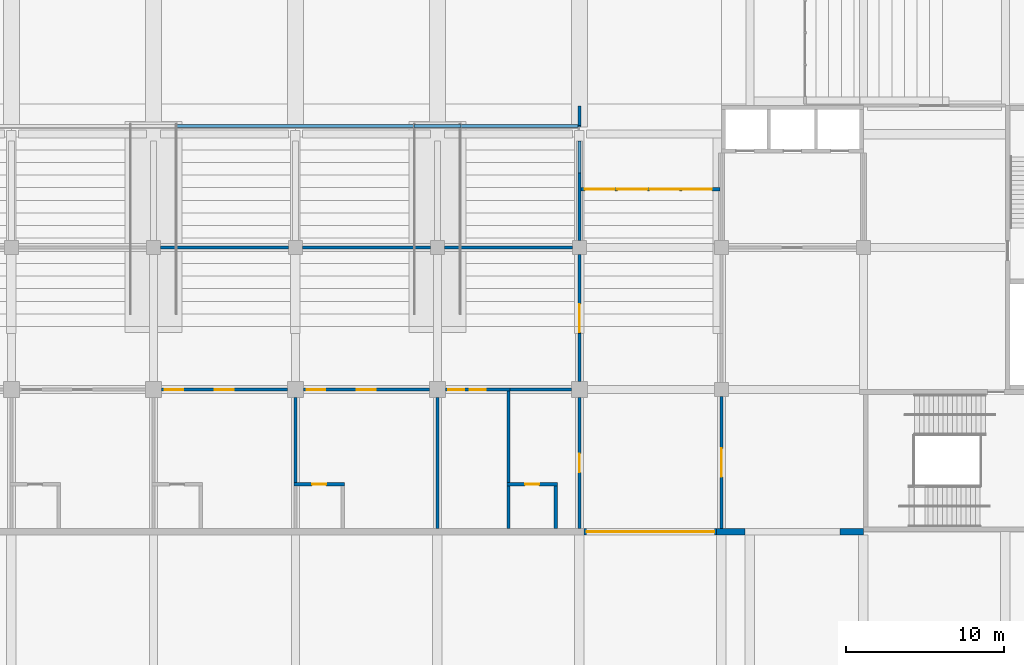
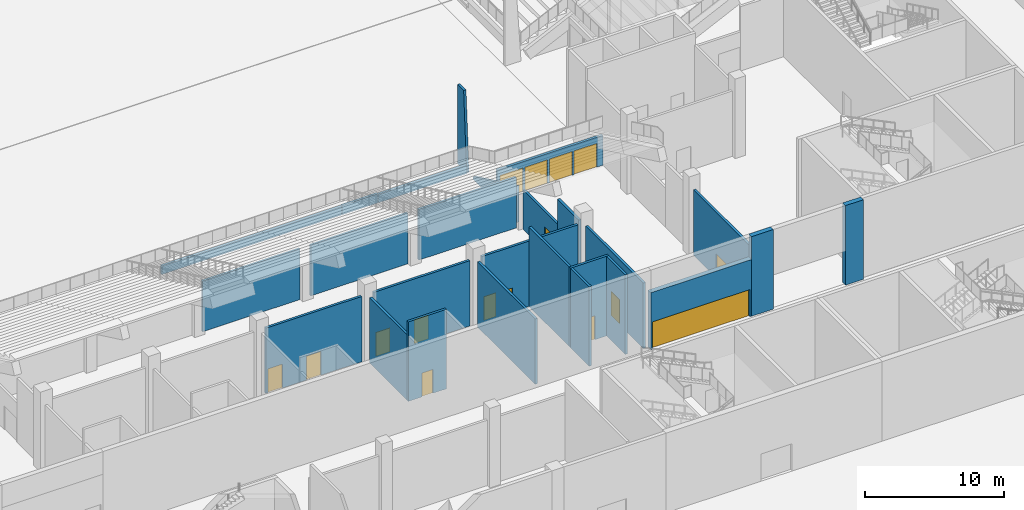
# One storey, part 32 of 92: 27 walls, 16 doors, 16 openings.
"""IFC4 building model written with IfcOpenShell, lengths in metres."""

from ifc_helpers import new_model, si_unit, direction, frame, frame_2d, origin, place, context, subcontext, project, spatial, polyline, rectangle, outline, extrude, material, layer, layer_set, type_object, element, fill, save


model = new_model("IFC4")

# Units and contexts
model_context = context("Model", 3, precision=1e-05, world=origin(), true_north=direction((0.0, 1.0)))
body_context = subcontext(model_context, "Body", "Model", "MODEL_VIEW")
ifc_project = project(units=[si_unit("LENGTHUNIT", "METRE"), si_unit("AREAUNIT", "SQUARE_METRE"), si_unit("VOLUMEUNIT", "CUBIC_METRE"), si_unit("PLANEANGLEUNIT", "RADIAN"), si_unit("MASSUNIT", "GRAM", prefix="KILO")], contexts=[model_context])

# Site, building, storey
site_placement = place(None, origin())
site = spatial("IfcSite", under=ifc_project, at=site_placement, CompositionType="ELEMENT")
building_placement = place(site_placement, origin())
building = spatial("IfcBuilding", under=site, at=building_placement, Name="Silverbay Arena", CompositionType="ELEMENT")
storey_placement = place(building_placement, origin())
storey = spatial("IfcBuildingStorey", under=building, at=storey_placement, Name="L00", CompositionType="ELEMENT", Elevation=0.0)

# Wall, opening, door
ifc_material_1 = material(Name="Concrete Grade C45", Category="concrete")
ifc_layer_1 = layer(ifc_material_1, 0.39990234375)
ifc_layer_set_1 = layer_set([ifc_layer_1], Name="Concrete Grade C45")
wall_type_1 = type_object("IfcWallType", Name="Bowl enclosure wall RC 400 EI 120", PredefinedType="SOLIDWALL", material=ifc_layer_set_1)
wall_1_placement = place(storey_placement, frame((153.300048828125, 36.0, 0.0), z_axis=(0.0, 0.0, 1.0), x_axis=(1.0, 0.0, 0.0)))
wall_1 = element("IfcWall", 1, at=wall_1_placement, inside=storey, type_object=wall_type_1, Name="tunnel floor tunnel SE", PredefinedType="SOLIDWALL", context=body_context, shape_type="SweptSolid", body=[
    extrude(rectangle(XDim=8.39990234375, YDim=0.39990234375, at=frame_2d((4.199951171875, 0.0))), origin(), (0.0, 0.0, 1.0), 5.0),
])
opening_1_placement = place(wall_1_placement, frame((0.14990234375, 0.0, 0.0)))
opening_1 = element("IfcOpeningElement", 2, at=opening_1_placement, cuts=wall_1, Name="Opening L00-226", PredefinedType="OPENING", context=body_context, shape_type="SweptSolid", body=[
    extrude(rectangle(XDim=8.10009765625, YDim=2.39990234375, at=frame_2d((4.050048828125, 1.199951171875))), frame((0.0, 0.2099609375, 0.0), z_axis=(0.0, -1.0, 0.0), x_axis=(1.0, 0.0, 0.0)), (0.0, 0.0, 1.0), 0.419921875),
])
ifc_material_2 = material(Name="Steel", Category="steel")
door_type_1 = type_object("IfcDoorType", Name="Fire door set 8100 x 2400 FD120S tunnel", OperationType="DOUBLE_DOOR_SINGLE_SWING", PredefinedType="DOOR", material=ifc_material_2)
door_1_placement = place(opening_1_placement, frame((8.10009765625, 0.0, 0.0), z_axis=(0.0, 0.0, 1.0), x_axis=(-1.0, 0.0, 0.0)))
door_1 = element("IfcDoor", 3, at=door_1_placement, inside=storey, type_object=door_type_1, Name="Fire door set L00 tunnel floor tunnel SE", OperationType="DOUBLE_DOOR_SINGLE_SWING", OverallHeight=2.39990234375, OverallWidth=8.10009765625, PredefinedType="DOOR", context=body_context, shape_type="SweptSolid", body=[
    extrude(rectangle(XDim=8.10009765625, YDim=2.39990234375, at=frame_2d((4.050048828125, 1.199951171875))), frame((0.0, 0.02490234375, 0.0), z_axis=(0.0, -1.0, 0.0), x_axis=(1.0, 0.0, 0.0)), (0.0, 0.0, 1.0), 0.050048828125),
])
fill(opening_1, door_1)

# Wall, openings, doors
ifc_material_3 = material(Name="Masonry blockwork partition", Category="masonry")
ifc_layer_2 = layer(ifc_material_3, 0.199951171875)
ifc_layer_set_2 = layer_set([ifc_layer_2], Name="Masonry blockwork partition")
wall_type_2 = type_object("IfcWallType", Name="Partition 200 EI 120", PredefinedType="PARTITIONING", material=ifc_layer_set_2)
wall_2_placement = place(storey_placement, frame((144.5, 45.0, 0.0), z_axis=(0.0, 0.0, 1.0), x_axis=(1.0, 0.0, 0.0)))
wall_2 = element("IfcWall", 4, at=wall_2_placement, inside=storey, type_object=wall_type_2, Name="Partition wall", PredefinedType="PARTITIONING", context=body_context, shape_type="SweptSolid", body=[
    extrude(rectangle(XDim=4.10009765625, YDim=0.199951171875, at=frame_2d((2.050048828125, 0.0))), origin(), (0.0, 0.0, 1.0), 5.75),
])
opening_2_placement = place(wall_2_placement, frame((1.550048828125, 0.0, 0.0)))
opening_2 = element("IfcOpeningElement", 5, at=opening_2_placement, cuts=wall_2, Name="Opening L00-029", PredefinedType="OPENING", context=body_context, shape_type="SweptSolid", body=[
    extrude(rectangle(XDim=1.0, YDim=2.10009765625, at=frame_2d((0.5, 1.050048828125))), frame((0.0, 0.10986328125, 0.0), z_axis=(0.0, -1.0, 0.0), x_axis=(1.0, 0.0, 0.0)), (0.0, 0.0, 1.0), 0.219970703125),
])
opening_3_placement = place(wall_2_placement, frame((0.199951171875, 0.0, 0.0)))
opening_3 = element("IfcOpeningElement", 6, at=opening_3_placement, cuts=wall_2, Name="Opening L00-099", PredefinedType="OPENING", context=body_context, shape_type="SweptSolid", body=[
    extrude(rectangle(XDim=1.0, YDim=2.10009765625, at=frame_2d((0.5, 1.050048828125))), frame((0.0, 0.10986328125, 0.0), z_axis=(0.0, -1.0, 0.0), x_axis=(1.0, 0.0, 0.0)), (0.0, 0.0, 1.0), 0.219970703125),
])
ifc_material_4 = material(Name="Steel faced timber", Category="steel")
door_type_2 = type_object("IfcDoorType", Name="Single leaf door 1000 x 2100 FD120", OperationType="SINGLE_SWING_LEFT", PredefinedType="DOOR", material=ifc_material_4)
door_2_placement = place(opening_2_placement, frame((1.0, 0.0, 0.0), z_axis=(0.0, 0.0, 1.0), x_axis=(-1.0, 0.0, 0.0)))
door_2 = element("IfcDoor", 7, at=door_2_placement, inside=storey, type_object=door_type_2, Name="Door L00-029", OperationType="SINGLE_SWING_RIGHT", OverallHeight=2.10009765625, OverallWidth=1.0, PredefinedType="DOOR", context=body_context, shape_type="SweptSolid", body=[
    extrude(rectangle(XDim=1.0, YDim=2.10009765625, at=frame_2d((0.5, 1.050048828125))), frame((0.0, 0.02490234375, 0.0), z_axis=(0.0, -1.0, 0.0), x_axis=(1.0, 0.0, 0.0)), (0.0, 0.0, 1.0), 0.050048828125),
])
fill(opening_2, door_2)
door_3_placement = place(opening_3_placement, frame((1.0, 0.0, 0.0), z_axis=(0.0, 0.0, 1.0), x_axis=(-1.0, 0.0, 0.0)))
door_3 = element("IfcDoor", 8, at=door_3_placement, inside=storey, type_object=door_type_2, Name="Door L00-099", OperationType="SINGLE_SWING_RIGHT", OverallHeight=2.10009765625, OverallWidth=1.0, PredefinedType="DOOR", context=body_context, shape_type="SweptSolid", body=[
    extrude(rectangle(XDim=1.0, YDim=2.10009765625, at=frame_2d((0.5, 1.050048828125))), frame((0.0, 0.02490234375, 0.0), z_axis=(0.0, -1.0, 0.0), x_axis=(1.0, 0.0, 0.0)), (0.0, 0.0, 1.0), 0.050048828125),
])
fill(opening_3, door_3)

# Walls
wall_3_placement = place(storey_placement, frame((148.60009765625, 45.0, 0.0), z_axis=(0.0, 0.0, 1.0), x_axis=(1.0, 0.0, 0.0)))
element("IfcWall", 9, at=wall_3_placement, inside=storey, type_object=wall_type_2, Name="Partition wall", PredefinedType="PARTITIONING", context=body_context, shape_type="SweptSolid", body=[
    extrude(rectangle(XDim=3.89990234375, YDim=0.199951171875, at=frame_2d((1.949951171875, 0.0))), origin(), (0.0, 0.0, 1.0), 5.75),
])
wall_4_placement = place(storey_placement, frame((144.0, 36.199951171875, 0.0), z_axis=(0.0, 0.0, 1.0), x_axis=(0.0, 1.0, 0.0)))
element("IfcWall", 10, at=wall_4_placement, inside=storey, type_object=wall_type_2, Name="Partition wall", PredefinedType="PARTITIONING", context=body_context, shape_type="SweptSolid", body=[
    extrude(rectangle(XDim=8.300048828125, YDim=0.199951171875, at=frame_2d((4.14990234375, 0.0))), origin(), (0.0, 0.0, 1.0), 5.75),
])
wall_5_placement = place(storey_placement, frame((148.5, 36.199951171875, 0.0), z_axis=(0.0, 0.0, 1.0), x_axis=(0.0, 1.0, 0.0)))
element("IfcWall", 11, at=wall_5_placement, inside=storey, type_object=wall_type_2, Name="Partition wall", PredefinedType="PARTITIONING", context=body_context, shape_type="SweptSolid", body=[
    extrude(rectangle(XDim=2.699951171875, YDim=0.199951171875, at=frame_2d((1.35009765625, 0.0))), origin(), (0.0, 0.0, 1.0), 7.0),
])
wall_6_placement = place(storey_placement, frame((148.5, 39.10009765625, 0.0), z_axis=(0.0, 0.0, 1.0), x_axis=(0.0, 1.0, 0.0)))
element("IfcWall", 12, at=wall_6_placement, inside=storey, type_object=wall_type_2, Name="Partition wall", PredefinedType="PARTITIONING", context=body_context, shape_type="SweptSolid", body=[
    extrude(rectangle(XDim=5.7998046875, YDim=0.199951171875, at=frame_2d((2.89990234375, 0.0))), origin(), (0.0, 0.0, 1.0), 7.0),
])

# Wall, opening, door
wall_7_placement = place(storey_placement, frame((153.0, 36.199951171875, 0.0), z_axis=(0.0, 0.0, 1.0), x_axis=(0.0, 1.0, 0.0)))
wall_7 = element("IfcWall", 13, at=wall_7_placement, inside=storey, type_object=wall_type_2, Name="Partition wall", PredefinedType="PARTITIONING", context=body_context, shape_type="SweptSolid", body=[
    extrude(rectangle(XDim=8.300048828125, YDim=0.199951171875, at=frame_2d((4.14990234375, 0.0))), origin(), (0.0, 0.0, 1.0), 5.75),
])
opening_4_placement = place(wall_7_placement, frame((3.550048828125, 0.0, 0.0)))
opening_4 = element("IfcOpeningElement", 14, at=opening_4_placement, cuts=wall_7, Name="Opening L00-030", PredefinedType="OPENING", context=body_context, shape_type="SweptSolid", body=[
    extrude(rectangle(XDim=1.199951171875, YDim=2.10009765625, at=frame_2d((0.60009765625, 1.050048828125))), frame((0.0, 0.10986328125, 0.0), z_axis=(0.0, -1.0, 0.0), x_axis=(1.0, 0.0, 0.0)), (0.0, 0.0, 1.0), 0.219970703125),
])
ifc_material_5 = material(Name="Steel faced timber", Category="steel")
door_type_3 = type_object("IfcDoorType", Name="Single leaf door 1200 x 2100 FD120", OperationType="SINGLE_SWING_LEFT", PredefinedType="DOOR", material=ifc_material_5)
door_4_placement = place(opening_4_placement, origin())
door_4 = element("IfcDoor", 15, at=door_4_placement, inside=storey, type_object=door_type_3, Name="Door L00-030", OperationType="SINGLE_SWING_RIGHT", OverallHeight=2.10009765625, OverallWidth=1.199951171875, PredefinedType="DOOR", context=body_context, shape_type="SweptSolid", body=[
    extrude(rectangle(XDim=1.199951171875, YDim=2.10009765625, at=frame_2d((0.60009765625, 1.050048828125))), frame((0.0, 0.02490234375, 0.0), z_axis=(0.0, -1.0, 0.0), x_axis=(1.0, 0.0, 0.0)), (0.0, 0.0, 1.0), 0.050048828125),
])
fill(opening_4, door_4)

wall_8_placement = place(storey_placement, frame((153.0, 48.571044921875, 0.0), z_axis=(0.0, 0.0, 1.0), x_axis=(0.0, 1.0, 0.0)))
wall_8 = element("IfcWall", 16, at=wall_8_placement, inside=storey, type_object=wall_type_2, Name="Partition wall", PredefinedType="PARTITIONING", context=body_context, shape_type="SweptSolid", body=[
    extrude(rectangle(XDim=4.97900390625, YDim=0.199951171875, at=frame_2d((2.489501953125, 0.0))), origin(), (0.0, 0.0, 1.0), 3.43896484375),
])
opening_5_placement = place(wall_8_placement, frame((0.053955078125, 0.0, 0.0)))
opening_5 = element("IfcOpeningElement", 17, at=opening_5_placement, cuts=wall_8, Name="Opening L00-083", PredefinedType="OPENING", context=body_context, shape_type="SweptSolid", body=[
    extrude(rectangle(XDim=1.800048828125, YDim=2.10009765625, at=frame_2d((0.89990234375, 1.050048828125))), frame((0.0, 0.10986328125, 0.0), z_axis=(0.0, -1.0, 0.0), x_axis=(1.0, 0.0, 0.0)), (0.0, 0.0, 1.0), 0.219970703125),
])
ifc_material_6 = material(Name="Steel faced timber", Category="steel")
door_type_4 = type_object("IfcDoorType", Name="Double leaf door 1800 x 2100 FD120", OperationType="DOUBLE_DOOR_DOUBLE_SWING", PredefinedType="DOOR", material=ifc_material_6)
door_5_placement = place(opening_5_placement, origin())
door_5 = element("IfcDoor", 18, at=door_5_placement, inside=storey, type_object=door_type_4, Name="Door L00-083", OperationType="DOUBLE_DOOR_DOUBLE_SWING", OverallHeight=2.10009765625, OverallWidth=1.800048828125, PredefinedType="DOOR", context=body_context, shape_type="SweptSolid", body=[
    extrude(rectangle(XDim=1.800048828125, YDim=2.10009765625, at=frame_2d((0.89990234375, 1.050048828125))), frame((0.0, 0.02490234375, 0.0), z_axis=(0.0, -1.0, 0.0), x_axis=(1.0, 0.0, 0.0)), (0.0, 0.0, 1.0), 0.050048828125),
])
fill(opening_5, door_5)

# Walls
wall_9_placement = place(storey_placement, frame((153.0, 54.449951171875, 0.0), z_axis=(0.0, 0.0, 1.0), x_axis=(0.0, 1.0, 0.0)))
element("IfcWall", 19, at=wall_9_placement, inside=storey, type_object=wall_type_2, Name="Partition wall", PredefinedType="PARTITIONING", context=body_context, shape_type="SweptSolid", body=[
    extrude(outline(polyline([(0.0, 0.0), (6.300048828125, 0.0), (6.300048828125, 0.23876953125), (5.8154296875, 0.468994140625), (4.361572265625, 1.159423828125), (0.0, 3.231201171875), (0.0, 0.0)])), frame((0.0, 0.10009765625, 0.0), z_axis=(0.0, -1.0, 0.0), x_axis=(1.0, 0.0, 0.0)), (0.0, 0.0, 1.0), 0.199951171875),
])
wall_10_placement = place(storey_placement, frame((153.0, 61.64990234375, 0.0), z_axis=(0.0, 0.0, 1.0), x_axis=(0.0, 1.0, 0.0)))
element("IfcWall", 20, at=wall_10_placement, inside=storey, type_object=wall_type_2, Name="Partition wall", PredefinedType="PARTITIONING", context=body_context, shape_type="SweptSolid", body=[
    extrude(outline(polyline([(0.0, 0.0), (1.340087890625, 0.0), (1.340087890625, 7.0), (0.44677734375, 7.0), (0.0, -0.188720703125), (0.0, 0.0)])), frame((0.0, 0.10009765625, 0.0), z_axis=(0.0, -1.0, 0.0), x_axis=(1.0, 0.0, 0.0)), (0.0, 0.0, 1.0), 0.199951171875),
])

# Wall, opening, door
wall_11_placement = place(storey_placement, frame((162.0, 36.199951171875, 0.0), z_axis=(0.0, 0.0, 1.0), x_axis=(0.0, 1.0, 0.0)))
wall_11 = element("IfcWall", 21, at=wall_11_placement, inside=storey, type_object=wall_type_2, Name="Partition wall", PredefinedType="PARTITIONING", context=body_context, shape_type="SweptSolid", body=[
    extrude(rectangle(XDim=8.35009765625, YDim=0.199951171875, at=frame_2d((4.175048828125, 0.0))), origin(), (0.0, 0.0, 1.0), 5.75),
])
opening_6_placement = place(wall_11_placement, frame((3.27490234375, 0.0, 0.0)))
opening_6 = element("IfcOpeningElement", 22, at=opening_6_placement, cuts=wall_11, Name="Opening L00-082", PredefinedType="OPENING", context=body_context, shape_type="SweptSolid", body=[
    extrude(rectangle(XDim=1.800048828125, YDim=2.10009765625, at=frame_2d((0.89990234375, 1.050048828125))), frame((0.0, 0.10986328125, 0.0), z_axis=(0.0, -1.0, 0.0), x_axis=(1.0, 0.0, 0.0)), (0.0, 0.0, 1.0), 0.219970703125),
])
door_6_placement = place(opening_6_placement, frame((1.800048828125, 0.0, 0.0), z_axis=(0.0, 0.0, 1.0), x_axis=(-1.0, 0.0, 0.0)))
door_6 = element("IfcDoor", 23, at=door_6_placement, inside=storey, type_object=door_type_4, Name="Door L00-082", OperationType="DOUBLE_DOOR_DOUBLE_SWING", OverallHeight=2.10009765625, OverallWidth=1.800048828125, PredefinedType="DOOR", context=body_context, shape_type="SweptSolid", body=[
    extrude(rectangle(XDim=1.800048828125, YDim=2.10009765625, at=frame_2d((0.89990234375, 1.050048828125))), frame((0.0, 0.02490234375, 0.0), z_axis=(0.0, -1.0, 0.0), x_axis=(1.0, 0.0, 0.0)), (0.0, 0.0, 1.0), 0.050048828125),
])
fill(opening_6, door_6)

# Wall
wall_12_placement = place(storey_placement, frame((153.0, 45.5, 0.0), z_axis=(0.0, 0.0, 1.0), x_axis=(0.0, 1.0, 0.0)))
element("IfcWall", 24, at=wall_12_placement, inside=storey, type_object=wall_type_2, Name="Partition wall", PredefinedType="PARTITIONING", context=body_context, shape_type="SweptSolid", body=[
    extrude(rectangle(XDim=3.071044921875, YDim=0.199951171875, at=frame_2d((1.53564453125, 0.0))), origin(), (0.0, 0.0, 1.0), 5.64990234375),
])

# Wall, openings, doors
ifc_material_7 = material(Name="Gypsum board partition on steel studs", Category="steel")
ifc_layer_3 = layer(ifc_material_7, 0.199951171875)
ifc_layer_set_3 = layer_set([ifc_layer_3], Name="Gypsum board partition on steel studs")
wall_type_3 = type_object("IfcWallType", Name="Partition 200 EI 60", PredefinedType="PARTITIONING", material=ifc_layer_set_3)
wall_13_placement = place(storey_placement, frame((126.5, 45.0, 0.0), z_axis=(0.0, 0.0, 1.0), x_axis=(1.0, 0.0, 0.0)))
wall_13 = element("IfcWall", 25, at=wall_13_placement, inside=storey, type_object=wall_type_3, Name="Partition wall", PredefinedType="PARTITIONING", context=body_context, shape_type="SweptSolid", body=[
    extrude(rectangle(XDim=8.0, YDim=0.199951171875, at=frame_2d((4.0, 0.0))), origin(), (0.0, 0.0, 1.0), 5.75),
])
opening_7_placement = place(wall_13_placement, frame((3.39990234375, 0.0, 0.0)))
opening_7 = element("IfcOpeningElement", 26, at=opening_7_placement, cuts=wall_13, Name="Opening L00-025", PredefinedType="OPENING", context=body_context, shape_type="SweptSolid", body=[
    extrude(rectangle(XDim=1.199951171875, YDim=2.10009765625, at=frame_2d((0.60009765625, 1.050048828125))), frame((0.0, 0.10986328125, 0.0), z_axis=(0.0, -1.0, 0.0), x_axis=(1.0, 0.0, 0.0)), (0.0, 0.0, 1.0), 0.219970703125),
])
opening_8_placement = place(wall_13_placement, frame((0.199951171875, 0.0, 0.0)))
opening_8 = element("IfcOpeningElement", 27, at=opening_8_placement, cuts=wall_13, Name="Opening L00-097", PredefinedType="OPENING", context=body_context, shape_type="SweptSolid", body=[
    extrude(rectangle(XDim=1.199951171875, YDim=2.10009765625, at=frame_2d((0.60009765625, 1.050048828125))), frame((0.0, 0.10986328125, 0.0), z_axis=(0.0, -1.0, 0.0), x_axis=(1.0, 0.0, 0.0)), (0.0, 0.0, 1.0), 0.219970703125),
])
ifc_material_8 = material(Name="Steel faced timber", Category="steel")
door_type_5 = type_object("IfcDoorType", Name="Single leaf door 1200 x 2100 FD30S", OperationType="SINGLE_SWING_LEFT", PredefinedType="DOOR", material=ifc_material_8)
door_7_placement = place(opening_7_placement, frame((1.199951171875, 0.0, 0.0), z_axis=(0.0, 0.0, 1.0), x_axis=(-1.0, 0.0, 0.0)))
door_7 = element("IfcDoor", 28, at=door_7_placement, inside=storey, type_object=door_type_5, Name="Door L00-025", OperationType="SINGLE_SWING_RIGHT", OverallHeight=2.10009765625, OverallWidth=1.199951171875, PredefinedType="DOOR", context=body_context, shape_type="SweptSolid", body=[
    extrude(rectangle(XDim=1.199951171875, YDim=2.10009765625, at=frame_2d((0.60009765625, 1.050048828125))), frame((0.0, 0.02490234375, 0.0), z_axis=(0.0, -1.0, 0.0), x_axis=(1.0, 0.0, 0.0)), (0.0, 0.0, 1.0), 0.050048828125),
])
fill(opening_7, door_7)
door_8_placement = place(opening_8_placement, frame((1.199951171875, 0.0, 0.0), z_axis=(0.0, 0.0, 1.0), x_axis=(-1.0, 0.0, 0.0)))
door_8 = element("IfcDoor", 29, at=door_8_placement, inside=storey, type_object=door_type_5, Name="Door L00-097", OperationType="SINGLE_SWING_RIGHT", OverallHeight=2.10009765625, OverallWidth=1.199951171875, PredefinedType="DOOR", context=body_context, shape_type="SweptSolid", body=[
    extrude(rectangle(XDim=1.199951171875, YDim=2.10009765625, at=frame_2d((0.60009765625, 1.050048828125))), frame((0.0, 0.02490234375, 0.0), z_axis=(0.0, -1.0, 0.0), x_axis=(1.0, 0.0, 0.0)), (0.0, 0.0, 1.0), 0.050048828125),
])
fill(opening_8, door_8)

wall_14_placement = place(storey_placement, frame((135.5, 45.0, 0.0), z_axis=(0.0, 0.0, 1.0), x_axis=(1.0, 0.0, 0.0)))
wall_14 = element("IfcWall", 30, at=wall_14_placement, inside=storey, type_object=wall_type_3, Name="Partition wall", PredefinedType="PARTITIONING", context=body_context, shape_type="SweptSolid", body=[
    extrude(rectangle(XDim=8.0, YDim=0.199951171875, at=frame_2d((4.0, 0.0))), origin(), (0.0, 0.0, 1.0), 5.75),
])
opening_9_placement = place(wall_14_placement, frame((3.39990234375, 0.0, 0.0)))
opening_9 = element("IfcOpeningElement", 31, at=opening_9_placement, cuts=wall_14, Name="Opening L00-027", PredefinedType="OPENING", context=body_context, shape_type="SweptSolid", body=[
    extrude(rectangle(XDim=1.199951171875, YDim=2.10009765625, at=frame_2d((0.60009765625, 1.050048828125))), frame((0.0, 0.10986328125, 0.0), z_axis=(0.0, -1.0, 0.0), x_axis=(1.0, 0.0, 0.0)), (0.0, 0.0, 1.0), 0.219970703125),
])
opening_10_placement = place(wall_14_placement, frame((0.199951171875, 0.0, 0.0)))
opening_10 = element("IfcOpeningElement", 32, at=opening_10_placement, cuts=wall_14, Name="Opening L00-098", PredefinedType="OPENING", context=body_context, shape_type="SweptSolid", body=[
    extrude(rectangle(XDim=1.199951171875, YDim=2.10009765625, at=frame_2d((0.60009765625, 1.050048828125))), frame((0.0, 0.10986328125, 0.0), z_axis=(0.0, -1.0, 0.0), x_axis=(1.0, 0.0, 0.0)), (0.0, 0.0, 1.0), 0.219970703125),
])
door_9_placement = place(opening_9_placement, frame((1.199951171875, 0.0, 0.0), z_axis=(0.0, 0.0, 1.0), x_axis=(-1.0, 0.0, 0.0)))
door_9 = element("IfcDoor", 33, at=door_9_placement, inside=storey, type_object=door_type_5, Name="Door L00-027", OperationType="SINGLE_SWING_RIGHT", OverallHeight=2.10009765625, OverallWidth=1.199951171875, PredefinedType="DOOR", context=body_context, shape_type="SweptSolid", body=[
    extrude(rectangle(XDim=1.199951171875, YDim=2.10009765625, at=frame_2d((0.60009765625, 1.050048828125))), frame((0.0, 0.02490234375, 0.0), z_axis=(0.0, -1.0, 0.0), x_axis=(1.0, 0.0, 0.0)), (0.0, 0.0, 1.0), 0.050048828125),
])
fill(opening_9, door_9)
door_10_placement = place(opening_10_placement, frame((1.199951171875, 0.0, 0.0), z_axis=(0.0, 0.0, 1.0), x_axis=(-1.0, 0.0, 0.0)))
door_10 = element("IfcDoor", 34, at=door_10_placement, inside=storey, type_object=door_type_5, Name="Door L00-098", OperationType="SINGLE_SWING_RIGHT", OverallHeight=2.10009765625, OverallWidth=1.199951171875, PredefinedType="DOOR", context=body_context, shape_type="SweptSolid", body=[
    extrude(rectangle(XDim=1.199951171875, YDim=2.10009765625, at=frame_2d((0.60009765625, 1.050048828125))), frame((0.0, 0.02490234375, 0.0), z_axis=(0.0, -1.0, 0.0), x_axis=(1.0, 0.0, 0.0)), (0.0, 0.0, 1.0), 0.050048828125),
])
fill(opening_10, door_10)

# Walls
for number, where, z_axis, x_axis, name in (
    (35, (144.449951171875, 54.0, 0.0), (0.0, 0.0, 1.0), (1.0, 0.0, 0.0), "Partition wall"),
    (36, (135.449951171875, 54.0, 0.0), (0.0, 0.0, 1.0), (1.0, 0.0, 0.0), "Partition wall"),
    (37, (126.449951171875, 54.0, 0.0), (0.0, 0.0, 1.0), (1.0, 0.0, 0.0), "Partition wall"),
):
    element("IfcWall", number, at=place(storey_placement, frame(where, z_axis=z_axis, x_axis=x_axis)), inside=storey, type_object=wall_type_3, Name=name, PredefinedType="PARTITIONING", context=body_context, shape_type="SweptSolid", body=[
        extrude(rectangle(XDim=8.10009765625, YDim=0.199951171875, at=frame_2d((4.050048828125, 0.0))), origin(), (0.0, 0.0, 1.0), 4.445068359375),
    ])
wall_15_placement = place(storey_placement, frame((135.0, 39.10009765625, 0.0), z_axis=(0.0, 0.0, 1.0), x_axis=(0.0, 1.0, 0.0)))
element("IfcWall", 38, at=wall_15_placement, inside=storey, type_object=wall_type_3, Name="Partition wall", PredefinedType="PARTITIONING", context=body_context, shape_type="SweptSolid", body=[
    extrude(rectangle(XDim=5.39990234375, YDim=0.199951171875, at=frame_2d((2.699951171875, 0.0))), origin(), (0.0, 0.0, 1.0), 5.75),
])

# Wall, opening, door
ifc_material_9 = material(Name="Gypsum board partition on steel studs", Category="steel")
ifc_layer_4 = layer(ifc_material_9, 0.199951171875)
ifc_layer_set_4 = layer_set([ifc_layer_4], Name="Gypsum board partition on steel studs")
wall_type_4 = type_object("IfcWallType", Name="Partition 200 plain", PredefinedType="PARTITIONING", material=ifc_layer_set_4)
wall_16_placement = place(storey_placement, frame((134.89990234375, 39.0, 0.0), z_axis=(0.0, 0.0, 1.0), x_axis=(1.0, 0.0, 0.0)))
wall_16 = element("IfcWall", 39, at=wall_16_placement, inside=storey, type_object=wall_type_4, Name="Partition wall", PredefinedType="PARTITIONING", context=body_context, shape_type="SweptSolid", body=[
    extrude(rectangle(XDim=3.2001953125, YDim=0.199951171875, at=frame_2d((1.60009765625, 0.0))), origin(), (0.0, 0.0, 1.0), 7.0),
])
opening_11_placement = place(wall_16_placement, frame((1.14990234375, 0.0, 0.0)))
opening_11 = element("IfcOpeningElement", 40, at=opening_11_placement, cuts=wall_16, Name="Opening L00-028", PredefinedType="OPENING", context=body_context, shape_type="SweptSolid", body=[
    extrude(rectangle(XDim=0.89990234375, YDim=2.10009765625, at=frame_2d((0.449951171875, 1.050048828125))), frame((0.0, 0.10986328125, 0.0), z_axis=(0.0, -1.0, 0.0), x_axis=(1.0, 0.0, 0.0)), (0.0, 0.0, 1.0), 0.219970703125),
])
ifc_material_10 = material(Name="Timber", Category="wood")
door_type_6 = type_object("IfcDoorType", Name="Single leaf door 900 x 2100", OperationType="SINGLE_SWING_LEFT", PredefinedType="DOOR", material=ifc_material_10)
door_11_placement = place(opening_11_placement, frame((0.89990234375, 0.0, 0.0), z_axis=(0.0, 0.0, 1.0), x_axis=(-1.0, 0.0, 0.0)))
door_11 = element("IfcDoor", 41, at=door_11_placement, inside=storey, type_object=door_type_6, Name="Door L00-028", OperationType="SINGLE_SWING_LEFT", OverallHeight=2.10009765625, OverallWidth=0.89990234375, PredefinedType="DOOR", context=body_context, shape_type="SweptSolid", body=[
    extrude(rectangle(XDim=0.89990234375, YDim=2.10009765625, at=frame_2d((0.449951171875, 1.050048828125))), frame((0.0, 0.02490234375, 0.0), z_axis=(0.0, -1.0, 0.0), x_axis=(1.0, 0.0, 0.0)), (0.0, 0.0, 1.0), 0.050048828125),
])
fill(opening_11, door_11)

wall_17_placement = place(storey_placement, frame((148.39990234375, 39.0, 0.0), z_axis=(0.0, 0.0, 1.0), x_axis=(1.0, 0.0, 0.0)))
wall_17 = element("IfcWall", 42, at=wall_17_placement, inside=storey, type_object=wall_type_4, Name="Partition wall", PredefinedType="PARTITIONING", context=body_context, shape_type="SweptSolid", body=[
    extrude(rectangle(XDim=3.2001953125, YDim=0.199951171875, at=frame_2d((1.60009765625, 0.0))), origin(), (0.0, 0.0, 1.0), 7.0),
])
opening_12_placement = place(wall_17_placement, frame((1.14990234375, 0.0, 0.0)))
opening_12 = element("IfcOpeningElement", 43, at=opening_12_placement, cuts=wall_17, Name="Opening L00-031", PredefinedType="OPENING", context=body_context, shape_type="SweptSolid", body=[
    extrude(rectangle(XDim=0.89990234375, YDim=2.10009765625, at=frame_2d((0.449951171875, 1.050048828125))), frame((0.0, 0.10986328125, 0.0), z_axis=(0.0, -1.0, 0.0), x_axis=(1.0, 0.0, 0.0)), (0.0, 0.0, 1.0), 0.219970703125),
])
door_12_placement = place(opening_12_placement, frame((0.89990234375, 0.0, 0.0), z_axis=(0.0, 0.0, 1.0), x_axis=(-1.0, 0.0, 0.0)))
door_12 = element("IfcDoor", 44, at=door_12_placement, inside=storey, type_object=door_type_6, Name="Door L00-031", OperationType="SINGLE_SWING_RIGHT", OverallHeight=2.10009765625, OverallWidth=0.89990234375, PredefinedType="DOOR", context=body_context, shape_type="SweptSolid", body=[
    extrude(rectangle(XDim=0.89990234375, YDim=2.10009765625, at=frame_2d((0.449951171875, 1.050048828125))), frame((0.0, 0.02490234375, 0.0), z_axis=(0.0, -1.0, 0.0), x_axis=(1.0, 0.0, 0.0)), (0.0, 0.0, 1.0), 0.050048828125),
])
fill(opening_12, door_12)

# Walls
wall_18_placement = place(storey_placement, frame((151.5, 36.199951171875, 0.0), z_axis=(0.0, 0.0, 1.0), x_axis=(0.0, 1.0, 0.0)))
element("IfcWall", 45, at=wall_18_placement, inside=storey, type_object=wall_type_4, Name="Partition wall", PredefinedType="PARTITIONING", context=body_context, shape_type="SweptSolid", body=[
    extrude(rectangle(XDim=2.699951171875, YDim=0.199951171875, at=frame_2d((1.35009765625, 0.0))), origin(), (0.0, 0.0, 1.0), 7.0),
])
ifc_material_11 = material(Name="Concrete Grade C45", Category="concrete")
ifc_layer_5 = layer(ifc_material_11, 0.39990234375)
ifc_layer_set_5 = layer_set([ifc_layer_5], Name="Concrete Grade C45")
wall_type_5 = type_object("IfcWallType", Name="RC back wall 400 EI 120", PredefinedType="SOLIDWALL", material=ifc_layer_set_5)
wall_19_placement = place(storey_placement, frame((161.699951171875, 36.0, 0.0), z_axis=(0.0, 0.0, 1.0), x_axis=(1.0, 0.0, 0.0)))
element("IfcWall", 46, at=wall_19_placement, inside=storey, type_object=wall_type_5, Name="Bowl back wall L00 04", PredefinedType="SOLIDWALL", context=body_context, shape_type="SweptSolid", body=[
    extrude(rectangle(XDim=1.800048828125, YDim=0.39990234375, at=frame_2d((0.89990234375, 0.0))), origin(), (0.0, 0.0, 1.0), 7.0),
])
wall_20_placement = place(storey_placement, frame((169.5, 36.0, 0.0), z_axis=(0.0, 0.0, 1.0), x_axis=(1.0, 0.0, 0.0)))
element("IfcWall", 47, at=wall_20_placement, inside=storey, type_object=wall_type_5, Name="Bowl back wall L00 05", PredefinedType="SOLIDWALL", context=body_context, shape_type="SweptSolid", body=[
    extrude(rectangle(XDim=1.5, YDim=0.39990234375, at=frame_2d((0.75, 0.0))), origin(), (0.0, 0.0, 1.0), 7.0),
])
ifc_material_12 = material(Name="Concrete Grade C45", Category="concrete")
ifc_layer_6 = layer(ifc_material_12, 0.199951171875)
ifc_layer_set_6 = layer_set([ifc_layer_6], Name="Concrete Grade C45")
wall_type_6 = type_object("IfcWallType", Name="Stand front wall RC 200 EI 120", PredefinedType="SOLIDWALL", material=ifc_layer_set_6)
wall_21_placement = place(storey_placement, frame((127.5, 61.699951171875, 0.0), z_axis=(0.0, 0.0, 1.0), x_axis=(1.0, 0.0, 0.0)))
element("IfcWall", 48, at=wall_21_placement, inside=storey, type_object=wall_type_6, Name="Stand front wall", PredefinedType="SOLIDWALL", context=body_context, shape_type="SweptSolid", body=[
    extrude(rectangle(XDim=15.0, YDim=0.199951171875, at=frame_2d((7.5, 0.0))), origin(), (0.0, 0.0, 1.0), 0.739990234375),
])
wall_22_placement = place(storey_placement, frame((142.5, 61.699951171875, 0.0), z_axis=(0.0, 0.0, 1.0), x_axis=(1.0, 0.0, 0.0)))
element("IfcWall", 49, at=wall_22_placement, inside=storey, type_object=wall_type_6, Name="Stand front wall", PredefinedType="SOLIDWALL", context=body_context, shape_type="SweptSolid", body=[
    extrude(rectangle(XDim=3.0, YDim=0.199951171875, at=frame_2d((1.5, 0.0))), origin(), (0.0, 0.0, 1.0), 0.811279296875),
])
wall_23_placement = place(storey_placement, frame((145.5, 61.699951171875, 0.0), z_axis=(0.0, 0.0, 1.0), x_axis=(1.0, 0.0, 0.0)))
element("IfcWall", 50, at=wall_23_placement, inside=storey, type_object=wall_type_6, Name="Stand front wall", PredefinedType="SOLIDWALL", context=body_context, shape_type="SweptSolid", body=[
    extrude(rectangle(XDim=7.39990234375, YDim=0.199951171875, at=frame_2d((3.699951171875, 0.0))), origin(), (0.0, 0.0, 1.0), 0.739990234375),
])

# Wall, openings, doors
ifc_material_13 = material(Name="Concrete Grade C45", Category="concrete")
ifc_layer_7 = layer(ifc_material_13, 0.199951171875)
ifc_layer_set_7 = layer_set([ifc_layer_7], Name="Concrete Grade C45")
wall_type_7 = type_object("IfcWallType", Name="Tunnel mouth wall RC 200 EI 120", PredefinedType="SOLIDWALL", material=ifc_layer_set_7)
wall_24_placement = place(storey_placement, frame((153.10009765625, 57.699951171875, 0.0), z_axis=(0.0, 0.0, 1.0), x_axis=(1.0, 0.0, 0.0)))
wall_24 = element("IfcWall", 51, at=wall_24_placement, inside=storey, type_object=wall_type_7, Name="tunnel mouth floor tunnel SE", PredefinedType="SOLIDWALL", context=body_context, shape_type="SweptSolid", body=[
    extrude(rectangle(XDim=8.7998046875, YDim=0.199951171875, at=frame_2d((4.39990234375, 0.0))), origin(), (0.0, 0.0, 1.0), 2.639892578125),
])
opening_13_placement = place(wall_24_placement, frame((0.25, 0.0, 0.0)))
opening_13 = element("IfcOpeningElement", 52, at=opening_13_placement, cuts=wall_24, Name="Opening L00-238", PredefinedType="OPENING", context=body_context, shape_type="SweptSolid", body=[
    extrude(rectangle(XDim=1.89990234375, YDim=2.10009765625, at=frame_2d((0.949951171875, 1.050048828125))), frame((0.0, 0.10986328125, 0.0), z_axis=(0.0, -1.0, 0.0), x_axis=(1.0, 0.0, 0.0)), (0.0, 0.0, 1.0), 0.219970703125),
])
opening_14_placement = place(wall_24_placement, frame((2.300048828125, 0.0, 0.0)))
opening_14 = element("IfcOpeningElement", 53, at=opening_14_placement, cuts=wall_24, Name="Opening L00-239", PredefinedType="OPENING", context=body_context, shape_type="SweptSolid", body=[
    extrude(rectangle(XDim=1.89990234375, YDim=2.10009765625, at=frame_2d((0.949951171875, 1.050048828125))), frame((0.0, 0.10986328125, 0.0), z_axis=(0.0, -1.0, 0.0), x_axis=(1.0, 0.0, 0.0)), (0.0, 0.0, 1.0), 0.219970703125),
])
opening_15_placement = place(wall_24_placement, frame((4.35009765625, 0.0, 0.0)))
opening_15 = element("IfcOpeningElement", 54, at=opening_15_placement, cuts=wall_24, Name="Opening L00-240", PredefinedType="OPENING", context=body_context, shape_type="SweptSolid", body=[
    extrude(rectangle(XDim=1.89990234375, YDim=2.10009765625, at=frame_2d((0.949951171875, 1.050048828125))), frame((0.0, 0.10986328125, 0.0), z_axis=(0.0, -1.0, 0.0), x_axis=(1.0, 0.0, 0.0)), (0.0, 0.0, 1.0), 0.219970703125),
])
opening_16_placement = place(wall_24_placement, frame((6.39990234375, 0.0, 0.0)))
opening_16 = element("IfcOpeningElement", 55, at=opening_16_placement, cuts=wall_24, Name="Opening L00-241", PredefinedType="OPENING", context=body_context, shape_type="SweptSolid", body=[
    extrude(rectangle(XDim=1.89990234375, YDim=2.10009765625, at=frame_2d((0.949951171875, 1.050048828125))), frame((0.0, 0.10986328125, 0.0), z_axis=(0.0, -1.0, 0.0), x_axis=(1.0, 0.0, 0.0)), (0.0, 0.0, 1.0), 0.219970703125),
])
ifc_material_14 = material(Name="Steel", Category="steel")
door_type_7 = type_object("IfcDoorType", Name="Fire door pair 1900 x 2100 FD120S tunnel", OperationType="DOUBLE_DOOR_SINGLE_SWING", PredefinedType="DOOR", material=ifc_material_14)
door_13_placement = place(opening_13_placement, frame((1.89990234375, 0.0, 0.0), z_axis=(0.0, 0.0, 1.0), x_axis=(-1.0, 0.0, 0.0)))
door_13 = element("IfcDoor", 56, at=door_13_placement, inside=storey, type_object=door_type_7, Name="Fire door pair L00 tunnel mouth floor tunnel SE", OperationType="DOUBLE_DOOR_SINGLE_SWING", OverallHeight=2.10009765625, OverallWidth=1.89990234375, PredefinedType="DOOR", context=body_context, shape_type="SweptSolid", body=[
    extrude(rectangle(XDim=1.89990234375, YDim=2.10009765625, at=frame_2d((0.949951171875, 1.050048828125))), frame((0.0, 0.02490234375, 0.0), z_axis=(0.0, -1.0, 0.0), x_axis=(1.0, 0.0, 0.0)), (0.0, 0.0, 1.0), 0.050048828125),
])
fill(opening_13, door_13)
door_14_placement = place(opening_14_placement, frame((1.89990234375, 0.0, 0.0), z_axis=(0.0, 0.0, 1.0), x_axis=(-1.0, 0.0, 0.0)))
door_14 = element("IfcDoor", 57, at=door_14_placement, inside=storey, type_object=door_type_7, Name="Fire door pair L00 tunnel mouth floor tunnel SE", OperationType="DOUBLE_DOOR_SINGLE_SWING", OverallHeight=2.10009765625, OverallWidth=1.89990234375, PredefinedType="DOOR", context=body_context, shape_type="SweptSolid", body=[
    extrude(rectangle(XDim=1.89990234375, YDim=2.10009765625, at=frame_2d((0.949951171875, 1.050048828125))), frame((0.0, 0.02490234375, 0.0), z_axis=(0.0, -1.0, 0.0), x_axis=(1.0, 0.0, 0.0)), (0.0, 0.0, 1.0), 0.050048828125),
])
fill(opening_14, door_14)
door_15_placement = place(opening_15_placement, frame((1.89990234375, 0.0, 0.0), z_axis=(0.0, 0.0, 1.0), x_axis=(-1.0, 0.0, 0.0)))
door_15 = element("IfcDoor", 58, at=door_15_placement, inside=storey, type_object=door_type_7, Name="Fire door pair L00 tunnel mouth floor tunnel SE", OperationType="DOUBLE_DOOR_SINGLE_SWING", OverallHeight=2.10009765625, OverallWidth=1.89990234375, PredefinedType="DOOR", context=body_context, shape_type="SweptSolid", body=[
    extrude(rectangle(XDim=1.89990234375, YDim=2.10009765625, at=frame_2d((0.949951171875, 1.050048828125))), frame((0.0, 0.02490234375, 0.0), z_axis=(0.0, -1.0, 0.0), x_axis=(1.0, 0.0, 0.0)), (0.0, 0.0, 1.0), 0.050048828125),
])
fill(opening_15, door_15)
door_16_placement = place(opening_16_placement, frame((1.89990234375, 0.0, 0.0), z_axis=(0.0, 0.0, 1.0), x_axis=(-1.0, 0.0, 0.0)))
door_16 = element("IfcDoor", 59, at=door_16_placement, inside=storey, type_object=door_type_7, Name="Fire door pair L00 tunnel mouth floor tunnel SE", OperationType="DOUBLE_DOOR_SINGLE_SWING", OverallHeight=2.10009765625, OverallWidth=1.89990234375, PredefinedType="DOOR", context=body_context, shape_type="SweptSolid", body=[
    extrude(rectangle(XDim=1.89990234375, YDim=2.10009765625, at=frame_2d((0.949951171875, 1.050048828125))), frame((0.0, 0.02490234375, 0.0), z_axis=(0.0, -1.0, 0.0), x_axis=(1.0, 0.0, 0.0)), (0.0, 0.0, 1.0), 0.050048828125),
])
fill(opening_16, door_16)

save(model, "model.ifc")
